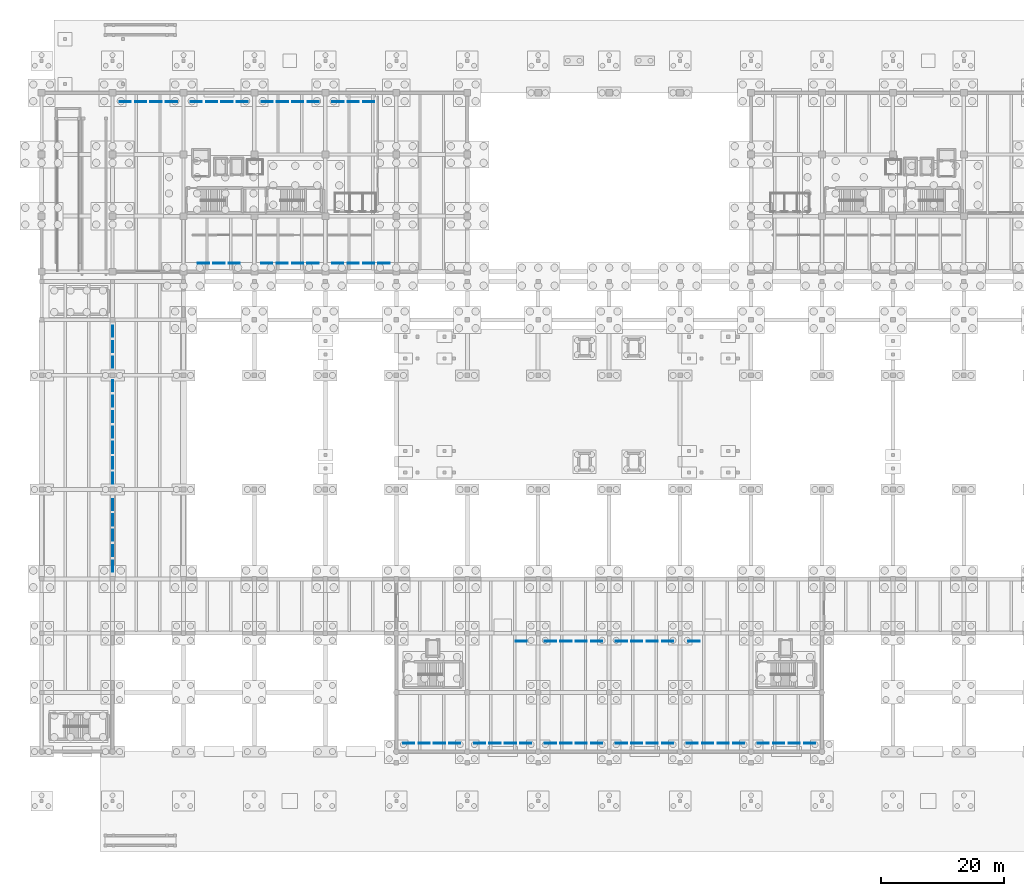
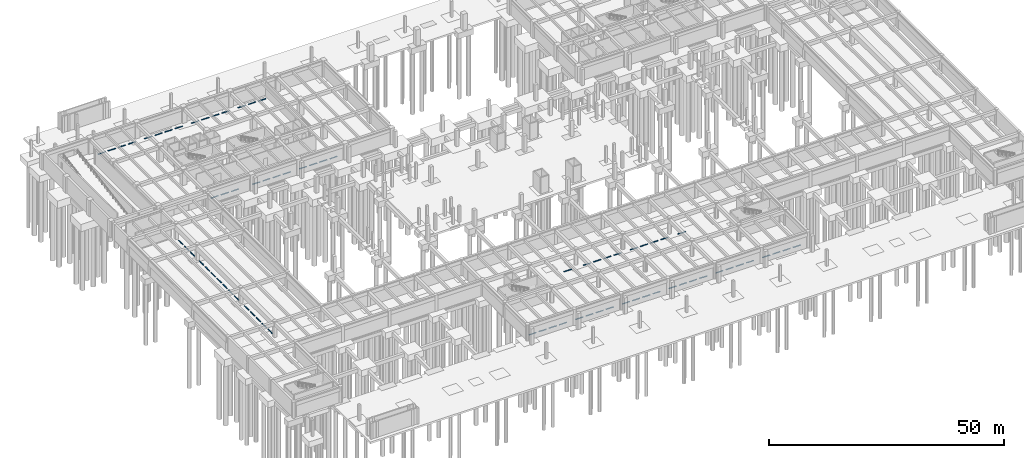
# One storey, part 25 of 28: 75 discrete accessories.
"""IFC4 building model written with IfcOpenShell, lengths in metres."""

import ifcopenshell
import ifcopenshell.guid

model = None  # the IFC model being written
_history = None  # IfcOwnerHistory: only IFC2X3 demands one
_inside = {}  # id of a spatial element -> (the spatial element, [elements in it])
_under = {}  # id of a project, library or spatial element -> (it, [spatial elements below it])
_declared = {}  # id of a project -> (the project, [libraries it declares])
_typed = {}  # id of a type object -> (the type object, [elements of that type])
_made_of = {}  # id of a material, layer set ... -> (it, [elements and type objects made of it])


def new_model(schema):
    """Start an empty IFC model of exactly this schema.

    Asked for "IFC4X3", IfcOpenShell would pick the latest addendum, in which some entities
    have other attributes; the version numbers below select the first issue.
    IFC2X3 requires an IfcOwnerHistory on every rooted entity: one is made here for all.
    """
    global model, _history
    if schema == "IFC4X3":
        model = ifcopenshell.file(schema_version=(4, 3, 0, 0))
    else:
        model = ifcopenshell.file(schema=schema)
    _inside.clear()
    _under.clear()
    _declared.clear()
    _typed.clear()
    _made_of.clear()
    _history = None
    if model.schema == "IFC2X3":
        org = make("IfcOrganization", Name="unknown")
        user = make(
            "IfcPersonAndOrganization",
            ThePerson=make("IfcPerson", FamilyName="unknown"),
            TheOrganization=org,
        )
        app = make(
            "IfcApplication",
            ApplicationDeveloper=org,
            Version="unknown",
            ApplicationFullName="unknown",
            ApplicationIdentifier="unknown",
        )
        _history = make(
            "IfcOwnerHistory",
            OwningUser=user,
            OwningApplication=app,
            ChangeAction="ADDED",
            CreationDate=0,
        )
    return model


def make(cls, **values):
    """One entity of the class cls with the attributes given. An attribute that is None is left unset."""
    return model.create_entity(
        cls, **{name: value for name, value in values.items() if value is not None}
    )


def rooted(cls, **values):
    """An entity with a GlobalId (a new one), such as an element, a storey or a relation."""
    return make(cls, GlobalId=ifcopenshell.guid.new(), OwnerHistory=_history, **values)


def si_unit(unit_type, name, prefix=None):
    """IfcSIUnit, for example si_unit("LENGTHUNIT", "METRE", prefix="MILLI")."""
    return make("IfcSIUnit", UnitType=unit_type, Prefix=prefix, Name=name)


def assignment(units):
    """IfcUnitAssignment: the units of a project."""
    return None if units is None else make("IfcUnitAssignment", Units=units)


def point(xyz):
    """IfcCartesianPoint."""
    return None if xyz is None else make("IfcCartesianPoint", Coordinates=xyz)


def direction(xyz):
    """IfcDirection."""
    return None if xyz is None else make("IfcDirection", DirectionRatios=xyz)


def frame(location, z_axis=None, x_axis=None):
    """IfcAxis2Placement3D, a coordinate frame: its origin and axes. An axis left out is left unset."""
    return make(
        "IfcAxis2Placement3D",
        Location=point(location),
        Axis=direction(z_axis),
        RefDirection=direction(x_axis),
    )


def frame_2d(location, x_axis=None):
    """IfcAxis2Placement2D, a coordinate frame in the plane: its origin and x axis."""
    return make(
        "IfcAxis2Placement2D", Location=point(location), RefDirection=direction(x_axis)
    )


def origin():
    """The frame at (0, 0, 0) with its axes left unset."""
    return frame((0.0, 0.0, 0.0))


def origin_2d():
    """The frame at (0, 0) in the plane with its x axis left unset."""
    return frame_2d((0.0, 0.0))


def place(relative_to, where):
    """IfcLocalPlacement: puts the frame where relative to a parent placement (None: the world)."""
    return make(
        "IfcLocalPlacement", PlacementRelTo=relative_to, RelativePlacement=where
    )


def context(
    kind, dimensions, precision=None, world=None, true_north=None, identifier=None
):
    """IfcGeometricRepresentationContext, for example the 3D "Model" context."""
    return make(
        "IfcGeometricRepresentationContext",
        ContextIdentifier=identifier,
        ContextType=kind,
        CoordinateSpaceDimension=dimensions,
        Precision=precision,
        WorldCoordinateSystem=world,
        TrueNorth=true_north,
    )


def subcontext(parent, identifier, kind, view, scale=None):
    """IfcGeometricRepresentationSubContext, for example "Body" below "Model"."""
    return make(
        "IfcGeometricRepresentationSubContext",
        ContextIdentifier=identifier,
        ContextType=kind,
        ParentContext=parent,
        TargetScale=scale,
        TargetView=view,
    )


def project(units=None, contexts=None):
    """IfcProject with its units and contexts."""
    return rooted(
        "IfcProject",
        Name="project",
        RepresentationContexts=contexts,
        UnitsInContext=assignment(units),
    )


def spatial(cls, under=None, at=None, **own):
    """A site, building, storey or space (cls), placed at a placement, below another one or the project."""
    s = rooted(cls, ObjectPlacement=at, **own)
    if under is not None:
        _under.setdefault(under.id(), (under, []))[1].append(s)
    return s


def profile(cls, at=None, kind="AREA", **sizes):
    """A parametric profile (cls). Its sizes go by their IFC names, for example OverallWidth=200.0."""
    return make(cls, ProfileType=kind, Position=at, **sizes)


def rectangle(**sizes):
    """IfcRectangleProfileDef."""
    return profile("IfcRectangleProfileDef", **sizes)


def extrude(swept, where, along, depth):
    """IfcExtrudedAreaSolid: the profile swept, set in the frame where, extruded along a direction by depth."""
    return make(
        "IfcExtrudedAreaSolid",
        SweptArea=swept,
        Position=where,
        ExtrudedDirection=direction(along),
        Depth=depth,
    )


def shape(context_of_items, identifier, shape_type, items):
    """IfcShapeRepresentation: the items that make up one representation, for example the "Body"."""
    return make(
        "IfcShapeRepresentation",
        ContextOfItems=context_of_items,
        RepresentationIdentifier=identifier,
        RepresentationType=shape_type,
        Items=items,
    )


def material(Name=None, Category=None):
    """IfcMaterial."""
    return make("IfcMaterial", Name=Name, Category=Category)


def made_of(thing, what):
    """Note that an element or type object is made of a material, layer set ...; save() writes the relation."""
    if what is not None:
        _made_of.setdefault(what.id(), (what, []))[1].append(thing)
    return thing


def type_object(cls, material=None, **own):
    """A type object (cls), such as IfcWallType, which elements share."""
    return made_of(rooted(cls, **own), material)


def element(
    cls,
    number,
    at=None,
    inside=None,
    cuts=None,
    type_object=None,
    material=None,
    context=None,
    identifier="Body",
    shape_type=None,
    held_by="IfcProductDefinitionShape",
    body=None,
    shapes=None,
    **own,
):
    """One element of the class cls, such as IfcWall. Its Tag is "e" and its number.

    at: its placement. inside: the storey or other place that contains it. cuts: it is an
    opening in that element (IfcRelVoidsElement). A single representation is given by context,
    identifier, shape_type and body (its items); several are given by shapes. held_by: the class
    of the entity that holds the representations. save() writes the other relations.
    """
    e = rooted(cls, Tag="e%d" % number, ObjectPlacement=at, **own)
    if body is not None:
        shapes = [shape(context, identifier, shape_type, body)]
    if shapes is not None:
        e.Representation = make(held_by, Representations=shapes)
    if inside is not None:
        _inside.setdefault(inside.id(), (inside, []))[1].append(e)
    if cuts is not None:
        rooted(
            "IfcRelVoidsElement", RelatingBuildingElement=cuts, RelatedOpeningElement=e
        )
    if type_object is not None:
        _typed.setdefault(type_object.id(), (type_object, []))[1].append(e)
    return made_of(e, material)


def aggregate(whole, parts):
    """IfcRelAggregates: a whole, such as a stair, and the parts it consists of."""
    return rooted("IfcRelAggregates", RelatingObject=whole, RelatedObjects=parts)


def save(model, path):
    """Write the relations noted so far, then the file.

    IfcRelAggregates (storeys below a building ...), IfcRelContainedInSpatialStructure (elements
    in a storey), IfcRelDefinesByType, IfcRelAssociatesMaterial and IfcRelDeclares: one each for
    every whole, place, type object, material and project.
    """
    for whole, parts in _under.values():
        aggregate(whole, parts)
    for where, things in _inside.values():
        rooted(
            "IfcRelContainedInSpatialStructure",
            RelatedElements=things,
            RelatingStructure=where,
        )
    for kind, things in _typed.values():
        rooted("IfcRelDefinesByType", RelatedObjects=things, RelatingType=kind)
    for what, things in _made_of.values():
        rooted("IfcRelAssociatesMaterial", RelatedObjects=things, RelatingMaterial=what)
    for by, libraries in _declared.values():
        rooted("IfcRelDeclares", RelatingContext=by, RelatedDefinitions=libraries)
    model.write(path)


model = new_model("IFC4")

# Units and contexts
model_context = context("Model", 3, precision=1e-05, world=origin(), true_north=direction((0.0, 1.0)))
body_context = subcontext(model_context, "Body", "Model", "MODEL_VIEW")
ifc_project = project(units=[si_unit("LENGTHUNIT", "METRE"), si_unit("AREAUNIT", "SQUARE_METRE"), si_unit("VOLUMEUNIT", "CUBIC_METRE"), si_unit("PLANEANGLEUNIT", "RADIAN"), si_unit("MASSUNIT", "GRAM", prefix="KILO")], contexts=[model_context])

# Site, building, storey
site_placement = place(None, origin())
site = spatial("IfcSite", under=ifc_project, at=site_placement, CompositionType="ELEMENT")
building_placement = place(site_placement, origin())
building = spatial("IfcBuilding", under=site, at=building_placement, Name="Ologun Quay Terminus", CompositionType="ELEMENT")
storey_placement = place(building_placement, frame((0.0, 0.0, -8.39990234375)))
storey = spatial("IfcBuildingStorey", under=building, at=storey_placement, Name="B02", CompositionType="ELEMENT", Elevation=-8.39990234375)

# Discrete accessories
ifc_material = material(Name="Concrete C40/50", Category="concrete")
discrete_accessory_type = type_object("IfcDiscreteAccessoryType", Name="Precast Car Parking Wheel Stop 1800", PredefinedType="USERDEFINED", material=ifc_material)
for number, where, z_axis, x_axis, name in (
    (1, (59.5, 9.35009765625, -0.000244140625), (0.0, 0.0, 1.0), (1.0, 0.0, 0.0), "Car Parking Bay Wheel Stop B02-001"),
    (2, (62.0, 9.35009765625, -0.000244140625), (0.0, 0.0, 1.0), (1.0, 0.0, 0.0), "Car Parking Bay Wheel Stop B02-002"),
    (3, (64.5, 9.35009765625, -0.000244140625), (0.0, 0.0, 1.0), (1.0, 0.0, 0.0), "Car Parking Bay Wheel Stop B02-003"),
    (4, (67.0, 9.35009765625, -0.000244140625), (0.0, 0.0, 1.0), (1.0, 0.0, 0.0), "Car Parking Bay Wheel Stop B02-004"),
    (5, (71.0, 9.35009765625, -0.000244140625), (0.0, 0.0, 1.0), (1.0, 0.0, 0.0), "Car Parking Bay Wheel Stop B02-005"),
    (6, (73.5, 9.35009765625, -0.000244140625), (0.0, 0.0, 1.0), (1.0, 0.0, 0.0), "Car Parking Bay Wheel Stop B02-006"),
    (7, (76.0, 9.35009765625, -0.000244140625), (0.0, 0.0, 1.0), (1.0, 0.0, 0.0), "Car Parking Bay Wheel Stop B02-007"),
    (8, (78.5, 9.35009765625, -0.000244140625), (0.0, 0.0, 1.0), (1.0, 0.0, 0.0), "Car Parking Bay Wheel Stop B02-008"),
    (9, (82.5, 9.35009765625, -0.000244140625), (0.0, 0.0, 1.0), (1.0, 0.0, 0.0), "Car Parking Bay Wheel Stop B02-009"),
    (10, (85.0, 9.35009765625, -0.000244140625), (0.0, 0.0, 1.0), (1.0, 0.0, 0.0), "Car Parking Bay Wheel Stop B02-010"),
    (11, (87.5, 9.35009765625, -0.000244140625), (0.0, 0.0, 1.0), (1.0, 0.0, 0.0), "Car Parking Bay Wheel Stop B02-011"),
    (12, (90.0, 9.35009765625, -0.000244140625), (0.0, 0.0, 1.0), (1.0, 0.0, 0.0), "Car Parking Bay Wheel Stop B02-012"),
    (13, (94.0, 9.35009765625, -0.000244140625), (0.0, 0.0, 1.0), (1.0, 0.0, 0.0), "Car Parking Bay Wheel Stop B02-013"),
    (14, (96.5, 9.35009765625, -0.000244140625), (0.0, 0.0, 1.0), (1.0, 0.0, 0.0), "Car Parking Bay Wheel Stop B02-014"),
    (15, (99.0, 9.35009765625, -0.000244140625), (0.0, 0.0, 1.0), (1.0, 0.0, 0.0), "Car Parking Bay Wheel Stop B02-015"),
    (16, (101.5, 9.35009765625, -0.000244140625), (0.0, 0.0, 1.0), (1.0, 0.0, 0.0), "Car Parking Bay Wheel Stop B02-016"),
    (17, (105.5, 9.35009765625, -0.000244140625), (0.0, 0.0, 1.0), (1.0, 0.0, 0.0), "Car Parking Bay Wheel Stop B02-017"),
    (18, (108.0, 9.35009765625, -0.000244140625), (0.0, 0.0, 1.0), (1.0, 0.0, 0.0), "Car Parking Bay Wheel Stop B02-018"),
    (19, (110.5, 9.35009765625, -0.000244140625), (0.0, 0.0, 1.0), (1.0, 0.0, 0.0), "Car Parking Bay Wheel Stop B02-019"),
    (20, (113.0, 9.35009765625, -0.000244140625), (0.0, 0.0, 1.0), (1.0, 0.0, 0.0), "Car Parking Bay Wheel Stop B02-020"),
    (21, (117.0, 9.35009765625, -0.000244140625), (0.0, 0.0, 1.0), (1.0, 0.0, 0.0), "Car Parking Bay Wheel Stop B02-021"),
    (22, (119.5, 9.35009765625, -0.000244140625), (0.0, 0.0, 1.0), (1.0, 0.0, 0.0), "Car Parking Bay Wheel Stop B02-022"),
    (23, (122.0, 9.35009765625, -0.000244140625), (0.0, 0.0, 1.0), (1.0, 0.0, 0.0), "Car Parking Bay Wheel Stop B02-023"),
    (24, (124.5, 9.35009765625, -0.000244140625), (0.0, 0.0, 1.0), (1.0, 0.0, 0.0), "Car Parking Bay Wheel Stop B02-024"),
    (25, (77.75, 25.89990234375, -0.000244140625), (0.0, 0.0, 1.0), (1.0, 0.0, 0.0), "Car Parking Bay Wheel Stop B02-025"),
    (26, (82.5, 25.89990234375, -0.000244140625), (0.0, 0.0, 1.0), (1.0, 0.0, 0.0), "Car Parking Bay Wheel Stop B02-026"),
    (27, (85.0, 25.89990234375, -0.000244140625), (0.0, 0.0, 1.0), (1.0, 0.0, 0.0), "Car Parking Bay Wheel Stop B02-027"),
    (28, (87.5, 25.89990234375, -0.000244140625), (0.0, 0.0, 1.0), (1.0, 0.0, 0.0), "Car Parking Bay Wheel Stop B02-028"),
    (29, (90.0, 25.89990234375, -0.000244140625), (0.0, 0.0, 1.0), (1.0, 0.0, 0.0), "Car Parking Bay Wheel Stop B02-029"),
    (30, (94.0, 25.89990234375, -0.000244140625), (0.0, 0.0, 1.0), (1.0, 0.0, 0.0), "Car Parking Bay Wheel Stop B02-030"),
    (31, (96.5, 25.89990234375, -0.000244140625), (0.0, 0.0, 1.0), (1.0, 0.0, 0.0), "Car Parking Bay Wheel Stop B02-031"),
    (32, (99.0, 25.89990234375, -0.000244140625), (0.0, 0.0, 1.0), (1.0, 0.0, 0.0), "Car Parking Bay Wheel Stop B02-032"),
    (33, (101.5, 25.89990234375, -0.000244140625), (0.0, 0.0, 1.0), (1.0, 0.0, 0.0), "Car Parking Bay Wheel Stop B02-033"),
    (34, (105.75, 25.89990234375, -0.000244140625), (0.0, 0.0, 1.0), (1.0, 0.0, 0.0), "Car Parking Bay Wheel Stop B02-034"),
    (35, (11.550048828125, 38.050048828125, -0.000244140625), (0.0, 0.0, 1.0), (0.0, 1.0, 0.0), "Car Parking Bay Wheel Stop B02-035"),
    (36, (11.550048828125, 40.550048828125, -0.000244140625), (0.0, 0.0, 1.0), (0.0, 1.0, 0.0), "Car Parking Bay Wheel Stop B02-036"),
    (37, (11.550048828125, 43.050048828125, -0.000244140625), (0.0, 0.0, 1.0), (0.0, 1.0, 0.0), "Car Parking Bay Wheel Stop B02-037"),
    (38, (11.550048828125, 45.550048828125, -0.000244140625), (0.0, 0.0, 1.0), (0.0, 1.0, 0.0), "Car Parking Bay Wheel Stop B02-038"),
    (39, (11.550048828125, 48.050048828125, -0.000244140625), (0.0, 0.0, 1.0), (0.0, 1.0, 0.0), "Car Parking Bay Wheel Stop B02-039"),
    (40, (11.550048828125, 52.300048828125, -0.000244140625), (0.0, 0.0, 1.0), (0.0, 1.0, 0.0), "Car Parking Bay Wheel Stop B02-040"),
    (41, (11.550048828125, 54.800048828125, -0.000244140625), (0.0, 0.0, 1.0), (0.0, 1.0, 0.0), "Car Parking Bay Wheel Stop B02-041"),
    (42, (11.550048828125, 57.300048828125, -0.000244140625), (0.0, 0.0, 1.0), (0.0, 1.0, 0.0), "Car Parking Bay Wheel Stop B02-042"),
    (43, (11.550048828125, 59.800048828125, -0.000244140625), (0.0, 0.0, 1.0), (0.0, 1.0, 0.0), "Car Parking Bay Wheel Stop B02-043"),
    (44, (11.550048828125, 62.300048828125, -0.000244140625), (0.0, 0.0, 1.0), (0.0, 1.0, 0.0), "Car Parking Bay Wheel Stop B02-044"),
    (45, (11.550048828125, 64.800048828125, -0.000244140625), (0.0, 0.0, 1.0), (0.0, 1.0, 0.0), "Car Parking Bay Wheel Stop B02-045"),
    (46, (11.550048828125, 67.300048828125, -0.000244140625), (0.0, 0.0, 1.0), (0.0, 1.0, 0.0), "Car Parking Bay Wheel Stop B02-046"),
    (47, (11.550048828125, 71.14990234375, -0.000244140625), (0.0, 0.0, 1.0), (0.0, 1.0, 0.0), "Car Parking Bay Wheel Stop B02-047"),
    (48, (11.550048828125, 73.64990234375, -0.000244140625), (0.0, 0.0, 1.0), (0.0, 1.0, 0.0), "Car Parking Bay Wheel Stop B02-048"),
    (49, (11.550048828125, 76.14990234375, -0.000244140625), (0.0, 0.0, 1.0), (0.0, 1.0, 0.0), "Car Parking Bay Wheel Stop B02-049"),
    (50, (13.550048828125, 113.35009765625, -0.000244140625), (0.0, 0.0, 1.0), (1.0, 0.0, 0.0), "Car Parking Bay Wheel Stop B02-050"),
    (51, (16.050048828125, 113.35009765625, -0.000244140625), (0.0, 0.0, 1.0), (1.0, 0.0, 0.0), "Car Parking Bay Wheel Stop B02-051"),
    (52, (18.550048828125, 113.35009765625, -0.000244140625), (0.0, 0.0, 1.0), (1.0, 0.0, 0.0), "Car Parking Bay Wheel Stop B02-052"),
    (53, (21.050048828125, 113.35009765625, -0.000244140625), (0.0, 0.0, 1.0), (1.0, 0.0, 0.0), "Car Parking Bay Wheel Stop B02-053"),
    (54, (25.050048828125, 113.35009765625, -0.000244140625), (0.0, 0.0, 1.0), (1.0, 0.0, 0.0), "Car Parking Bay Wheel Stop B02-054"),
    (55, (27.550048828125, 113.35009765625, -0.000244140625), (0.0, 0.0, 1.0), (1.0, 0.0, 0.0), "Car Parking Bay Wheel Stop B02-055"),
    (56, (30.050048828125, 113.35009765625, -0.000244140625), (0.0, 0.0, 1.0), (1.0, 0.0, 0.0), "Car Parking Bay Wheel Stop B02-056"),
    (57, (32.550048828125, 113.35009765625, -0.000244140625), (0.0, 0.0, 1.0), (1.0, 0.0, 0.0), "Car Parking Bay Wheel Stop B02-057"),
    (58, (36.550048828125, 113.35009765625, -0.000244140625), (0.0, 0.0, 1.0), (1.0, 0.0, 0.0), "Car Parking Bay Wheel Stop B02-058"),
    (59, (39.050048828125, 113.35009765625, -0.000244140625), (0.0, 0.0, 1.0), (1.0, 0.0, 0.0), "Car Parking Bay Wheel Stop B02-059"),
    (60, (41.550048828125, 113.35009765625, -0.000244140625), (0.0, 0.0, 1.0), (1.0, 0.0, 0.0), "Car Parking Bay Wheel Stop B02-060"),
    (61, (44.050048828125, 113.35009765625, -0.000244140625), (0.0, 0.0, 1.0), (1.0, 0.0, 0.0), "Car Parking Bay Wheel Stop B02-061"),
    (62, (48.050048828125, 113.35009765625, -0.000244140625), (0.0, 0.0, 1.0), (1.0, 0.0, 0.0), "Car Parking Bay Wheel Stop B02-062"),
    (63, (50.550048828125, 113.35009765625, -0.000244140625), (0.0, 0.0, 1.0), (1.0, 0.0, 0.0), "Car Parking Bay Wheel Stop B02-063"),
    (64, (53.050048828125, 113.35009765625, -0.000244140625), (0.0, 0.0, 1.0), (1.0, 0.0, 0.0), "Car Parking Bay Wheel Stop B02-064"),
    (65, (26.25, 87.199951171875, -0.000244140625), (0.0, 0.0, 1.0), (1.0, 0.0, 0.0), "Car Parking Bay Wheel Stop B02-065"),
    (66, (28.75, 87.199951171875, -0.000244140625), (0.0, 0.0, 1.0), (1.0, 0.0, 0.0), "Car Parking Bay Wheel Stop B02-066"),
    (67, (31.25, 87.199951171875, -0.000244140625), (0.0, 0.0, 1.0), (1.0, 0.0, 0.0), "Car Parking Bay Wheel Stop B02-067"),
    (68, (36.5, 87.199951171875, -0.000244140625), (0.0, 0.0, 1.0), (1.0, 0.0, 0.0), "Car Parking Bay Wheel Stop B02-068"),
    (69, (39.0, 87.199951171875, -0.000244140625), (0.0, 0.0, 1.0), (1.0, 0.0, 0.0), "Car Parking Bay Wheel Stop B02-069"),
    (70, (41.5, 87.199951171875, -0.000244140625), (0.0, 0.0, 1.0), (1.0, 0.0, 0.0), "Car Parking Bay Wheel Stop B02-070"),
    (71, (44.0, 87.199951171875, -0.000244140625), (0.0, 0.0, 1.0), (1.0, 0.0, 0.0), "Car Parking Bay Wheel Stop B02-071"),
    (72, (48.0, 87.199951171875, -0.000244140625), (0.0, 0.0, 1.0), (1.0, 0.0, 0.0), "Car Parking Bay Wheel Stop B02-072"),
    (73, (50.5, 87.199951171875, -0.000244140625), (0.0, 0.0, 1.0), (1.0, 0.0, 0.0), "Car Parking Bay Wheel Stop B02-073"),
    (74, (53.0, 87.199951171875, -0.000244140625), (0.0, 0.0, 1.0), (1.0, 0.0, 0.0), "Car Parking Bay Wheel Stop B02-074"),
    (75, (55.5, 87.199951171875, -0.000244140625), (0.0, 0.0, 1.0), (1.0, 0.0, 0.0), "Car Parking Bay Wheel Stop B02-075"),
):
    element("IfcDiscreteAccessory", number, at=place(storey_placement, frame(where, z_axis=z_axis, x_axis=x_axis)), inside=storey, type_object=discrete_accessory_type, Name=name, ObjectType="WHEEL STOP", PredefinedType="USERDEFINED", context=body_context, shape_type="SweptSolid", body=[
        extrude(rectangle(XDim=1.800048828125, YDim=0.159912109375, at=origin_2d()), origin(), (0.0, 0.0, 1.0), 0.1201171875),
    ])

save(model, "model.ifc")
